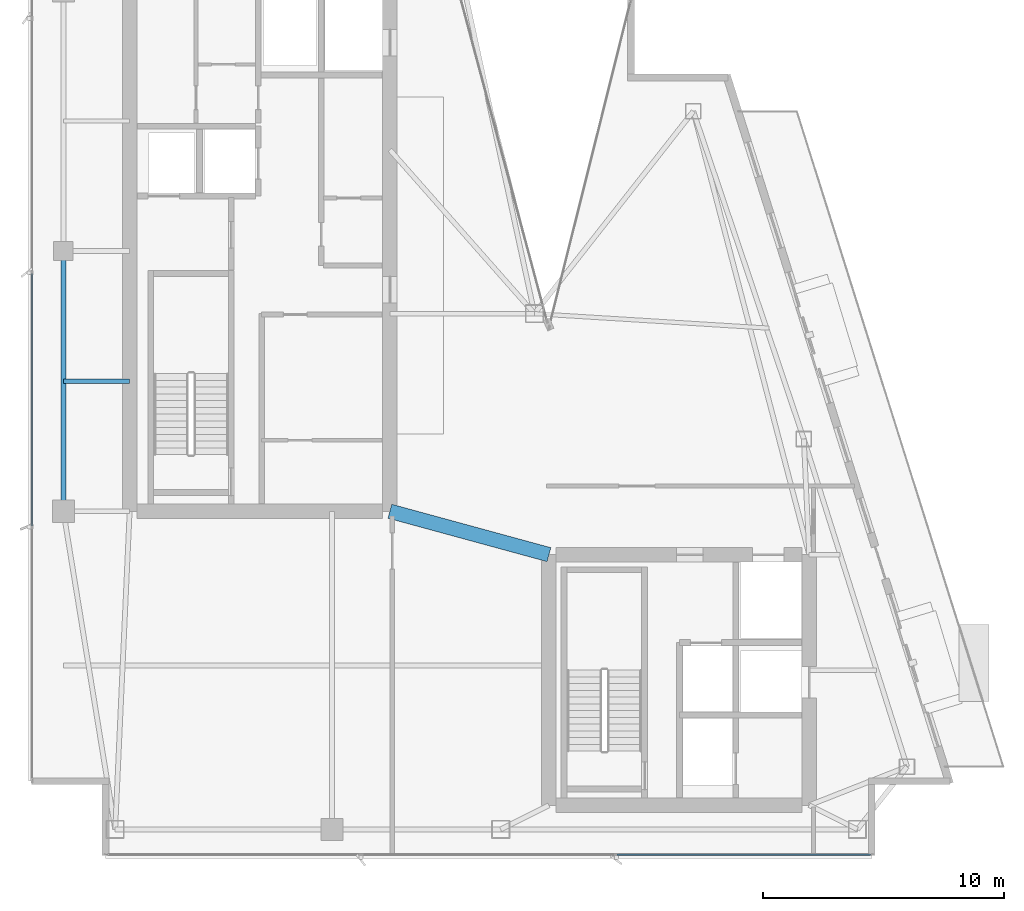
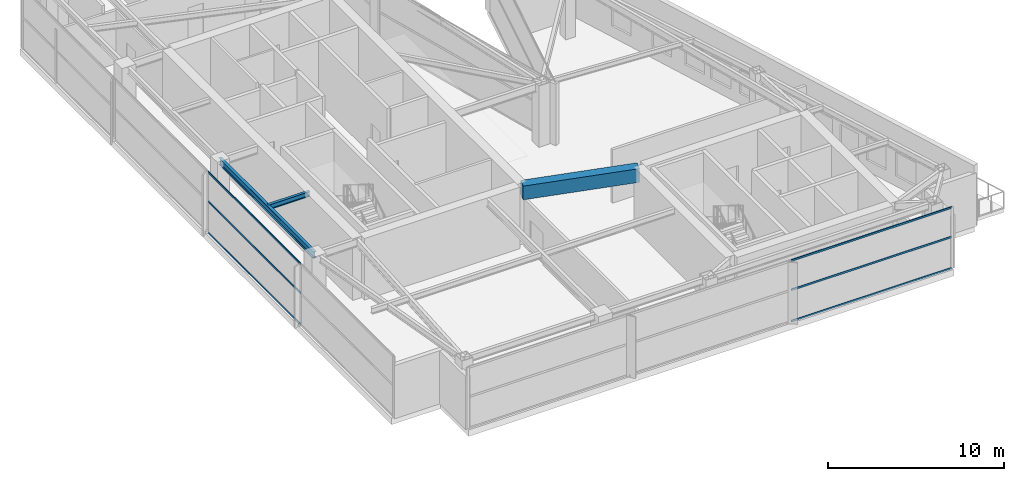
# One storey, part 8 of 25: 6 members, 3 beams, 2 elements without a shape of their own.
"""IFC4 building model written with IfcOpenShell, lengths in metres."""

from ifc_helpers import new_model, si_unit, direction, frame, origin, origin_2d, place, context, subcontext, project, spatial, rectangle, hollow_rectangle, i_section, extrude, material, layer, layer_set, material_profile, profile_set, type_object, element, aggregate, save


model = new_model("IFC4")

# Units and contexts
model_context = context("Model", 3, precision=1e-05, world=origin(), true_north=direction((0.0, 1.0)))
body_context = subcontext(model_context, "Body", "Model", "MODEL_VIEW")
ifc_project = project(units=[si_unit("LENGTHUNIT", "METRE"), si_unit("AREAUNIT", "SQUARE_METRE"), si_unit("VOLUMEUNIT", "CUBIC_METRE"), si_unit("PLANEANGLEUNIT", "RADIAN"), si_unit("MASSUNIT", "GRAM", prefix="KILO")], contexts=[model_context])

# Site, building, storey
site_placement = place(None, origin())
site = spatial("IfcSite", under=ifc_project, at=site_placement, CompositionType="ELEMENT")
building_placement = place(site_placement, origin())
building = spatial("IfcBuilding", under=site, at=building_placement, Name="Calvorn Quay Hotel", CompositionType="ELEMENT")
storey_placement = place(building_placement, frame((0.0, 0.0, 307.0)))
storey = spatial("IfcBuildingStorey", under=building, at=storey_placement, Name="L76", CompositionType="ELEMENT", Elevation=307.0)

# Beams
ifc_material_1 = material(Name="Steel Q355B", Category="steel")
ifc_material_profile_1 = material_profile(ifc_material_1, i_section(OverallWidth=0.175048828125, OverallDepth=0.35009765625, WebThickness=0.007080078125, FlangeThickness=0.010986328125, FilletRadius=0.013916015625, at=origin_2d()), Name="HN350x175x7x11")
ifc_profile_set_1 = profile_set([ifc_material_profile_1], Name="Steel Q355B")
beam_type_1 = type_object("IfcBeamType", Name="BM-JOIST-SEC", PredefinedType="JOIST", material=ifc_profile_set_1)
beam_1_placement = place(storey_placement, frame((1.449951171875, 22.199951171875, 4.06494140625), z_axis=(1.0, 0.0, 0.0), x_axis=(0.0, 1.0, 0.0)))
element("IfcBeam", 1, at=beam_1_placement, inside=storey, type_object=beam_type_1, Name="Beam BJ-L76-W3", PredefinedType="JOIST", context=body_context, shape_type="SweptSolid", body=[
    extrude(i_section(OverallWidth=0.175048828125, OverallDepth=0.35009765625, WebThickness=0.007080078125, FlangeThickness=0.010986328125, FilletRadius=0.013916015625, at=origin_2d()), origin(), (0.0, 0.0, 1.0), 2.75),
])
ifc_material_2 = material(Name="Concrete C45", Category="concrete")
ifc_material_profile_2 = material_profile(ifc_material_2, rectangle(XDim=0.60009765625, YDim=0.949951171875, at=origin_2d()), Name="RCB600x950")
ifc_profile_set_2 = profile_set([ifc_material_profile_2], Name="Concrete C45")
beam_type_2 = type_object("IfcBeamType", Name="BM-RC-LINK-600x950", PredefinedType="BEAM", material=ifc_profile_set_2)
beam_2_placement = place(storey_placement, frame((15.0, 16.800048828125, 3.764892578125), z_axis=(0.964762997686, -0.263120425462, 0.0), x_axis=(0.263120425462, 0.964762997686, 0.0)))
element("IfcBeam", 2, at=beam_2_placement, inside=storey, type_object=beam_type_2, Name="Beam BCL-L76-01", PredefinedType="BEAM", context=body_context, shape_type="SweptSolid", body=[
    extrude(rectangle(XDim=0.60009765625, YDim=0.949951171875, at=origin_2d()), origin(), (0.0, 0.0, 1.0), 6.841064453125),
])
ifc_material_3 = material(Name="Steel Q355B", Category="steel")
ifc_material_profile_3 = material_profile(ifc_material_3, i_section(OverallWidth=0.199951171875, OverallDepth=0.449951171875, WebThickness=0.009033203125, FlangeThickness=0.013916015625, FilletRadius=0.01611328125, at=origin_2d()), Name="HN450x200x9x14")
ifc_profile_set_3 = profile_set([ifc_material_profile_3], Name="Steel Q355B")
beam_type_3 = type_object("IfcBeamType", Name="BM-SPANDREL-Z3", PredefinedType="SPANDREL", material=ifc_profile_set_3)
beam_3_placement = place(storey_placement, frame((1.449951171875, 16.800048828125, 4.014892578125), z_axis=(0.0, 1.0, 0.0), x_axis=(-1.0, 0.0, 0.0)))
element("IfcBeam", 3, at=beam_3_placement, inside=storey, type_object=beam_type_3, Name="Beam BSP-L76-W2", PredefinedType="SPANDREL", context=body_context, shape_type="SweptSolid", body=[
    extrude(i_section(OverallWidth=0.199951171875, OverallDepth=0.449951171875, WebThickness=0.009033203125, FlangeThickness=0.013916015625, FilletRadius=0.01611328125, at=origin_2d()), origin(), (0.0, 0.0, 1.0), 10.800048828125),
])

# Curtain wall, members
ifc_material_4 = material(Name="Champagne Bronze Anodised Aluminium and Low-E Glass", Category="aluminium")
ifc_layer = layer(ifc_material_4, 0.219970703125)
ifc_layer_set = layer_set([ifc_layer], Name="CW-SYS-Z4")
curtain_wall_type = type_object("IfcCurtainWallType", Name="CW-SYS-Z4", PredefinedType="NOTDEFINED", material=ifc_layer_set)
curtain_wall_1_placement = place(storey_placement, origin())
curtain_wall_1 = element("IfcCurtainWall", 4, at=curtain_wall_1_placement, inside=storey, type_object=curtain_wall_type, Name="Tower West Curtain Wall (L76)", PredefinedType="NOTDEFINED")
ifc_material_5 = material(Name="Champagne Bronze Anodised Aluminium 6063-T6", Category="aluminium")
ifc_material_profile_4 = material_profile(ifc_material_5, hollow_rectangle(XDim=0.054931640625, YDim=0.1298828125, WallThickness=0.003173828125, at=origin_2d()), Name="ALU-T130x55x3.2")
ifc_profile_set_4 = profile_set([ifc_material_profile_4], Name="Champagne Bronze Anodised Aluminium 6063-T6")
member_type = type_object("IfcMemberType", Name="CW-SYS-Z4-TRN", PredefinedType="USERDEFINED", material=ifc_profile_set_4)
member_1_placement = place(storey_placement, frame((0.14990234375, 16.179931640625, 0.030029296875), z_axis=(0.0, 1.0, 0.0), x_axis=(-1.0, 0.0, 0.0)))
member_1 = element("IfcMember", 5, at=member_1_placement, type_object=member_type, Name="CW-L76-W transom 2.1", ObjectType="TRANSOM", PredefinedType="USERDEFINED", context=body_context, shape_type="SweptSolid", body=[
    extrude(hollow_rectangle(XDim=0.054931640625, YDim=0.1298828125, WallThickness=0.003173828125, at=origin_2d()), origin(), (0.0, 0.0, 1.0), 10.489990234375),
])
member_2_placement = place(storey_placement, frame((0.14990234375, 16.179931640625, 2.199951171875), z_axis=(0.0, 1.0, 0.0), x_axis=(-1.0, 0.0, 0.0)))
member_2 = element("IfcMember", 6, at=member_2_placement, type_object=member_type, Name="CW-L76-W transom 2.2", ObjectType="TRANSOM", PredefinedType="USERDEFINED", context=body_context, shape_type="SweptSolid", body=[
    extrude(hollow_rectangle(XDim=0.054931640625, YDim=0.1298828125, WallThickness=0.003173828125, at=origin_2d()), origin(), (0.0, 0.0, 1.0), 10.489990234375),
])
member_3_placement = place(storey_placement, frame((0.14990234375, 16.179931640625, 4.22998046875), z_axis=(0.0, 1.0, 0.0), x_axis=(-1.0, 0.0, 0.0)))
member_3 = element("IfcMember", 7, at=member_3_placement, type_object=member_type, Name="CW-L76-W transom 2.3", ObjectType="TRANSOM", PredefinedType="USERDEFINED", context=body_context, shape_type="SweptSolid", body=[
    extrude(hollow_rectangle(XDim=0.054931640625, YDim=0.1298828125, WallThickness=0.003173828125, at=origin_2d()), origin(), (0.0, 0.0, 1.0), 10.489990234375),
])
aggregate(curtain_wall_1, [member_1, member_2, member_3])

curtain_wall_2_placement = place(storey_placement, origin())
curtain_wall_2 = element("IfcCurtainWall", 8, at=curtain_wall_2_placement, inside=storey, type_object=curtain_wall_type, Name="Tower South Waterfront Curtain Wall (L76)", PredefinedType="NOTDEFINED")
member_4_placement = place(storey_placement, frame((24.429931640625, 2.550048828125, 0.030029296875), z_axis=(1.0, 0.0, 0.0), x_axis=(0.0, 1.0, 0.0)))
member_4 = element("IfcMember", 9, at=member_4_placement, type_object=member_type, Name="CW-L76-S transom 3.1", ObjectType="TRANSOM", PredefinedType="USERDEFINED", context=body_context, shape_type="SweptSolid", body=[
    extrude(hollow_rectangle(XDim=0.054931640625, YDim=0.1298828125, WallThickness=0.003173828125, at=origin_2d()), origin(), (0.0, 0.0, 1.0), 10.510009765625),
])
member_5_placement = place(storey_placement, frame((24.429931640625, 2.550048828125, 2.199951171875), z_axis=(1.0, 0.0, 0.0), x_axis=(0.0, 1.0, 0.0)))
member_5 = element("IfcMember", 10, at=member_5_placement, type_object=member_type, Name="CW-L76-S transom 3.2", ObjectType="TRANSOM", PredefinedType="USERDEFINED", context=body_context, shape_type="SweptSolid", body=[
    extrude(hollow_rectangle(XDim=0.054931640625, YDim=0.1298828125, WallThickness=0.003173828125, at=origin_2d()), origin(), (0.0, 0.0, 1.0), 10.510009765625),
])
member_6_placement = place(storey_placement, frame((24.429931640625, 2.550048828125, 4.22998046875), z_axis=(1.0, 0.0, 0.0), x_axis=(0.0, 1.0, 0.0)))
member_6 = element("IfcMember", 11, at=member_6_placement, type_object=member_type, Name="CW-L76-S transom 3.3", ObjectType="TRANSOM", PredefinedType="USERDEFINED", context=body_context, shape_type="SweptSolid", body=[
    extrude(hollow_rectangle(XDim=0.054931640625, YDim=0.1298828125, WallThickness=0.003173828125, at=origin_2d()), origin(), (0.0, 0.0, 1.0), 10.510009765625),
])
aggregate(curtain_wall_2, [member_4, member_5, member_6])

save(model, "model.ifc")
